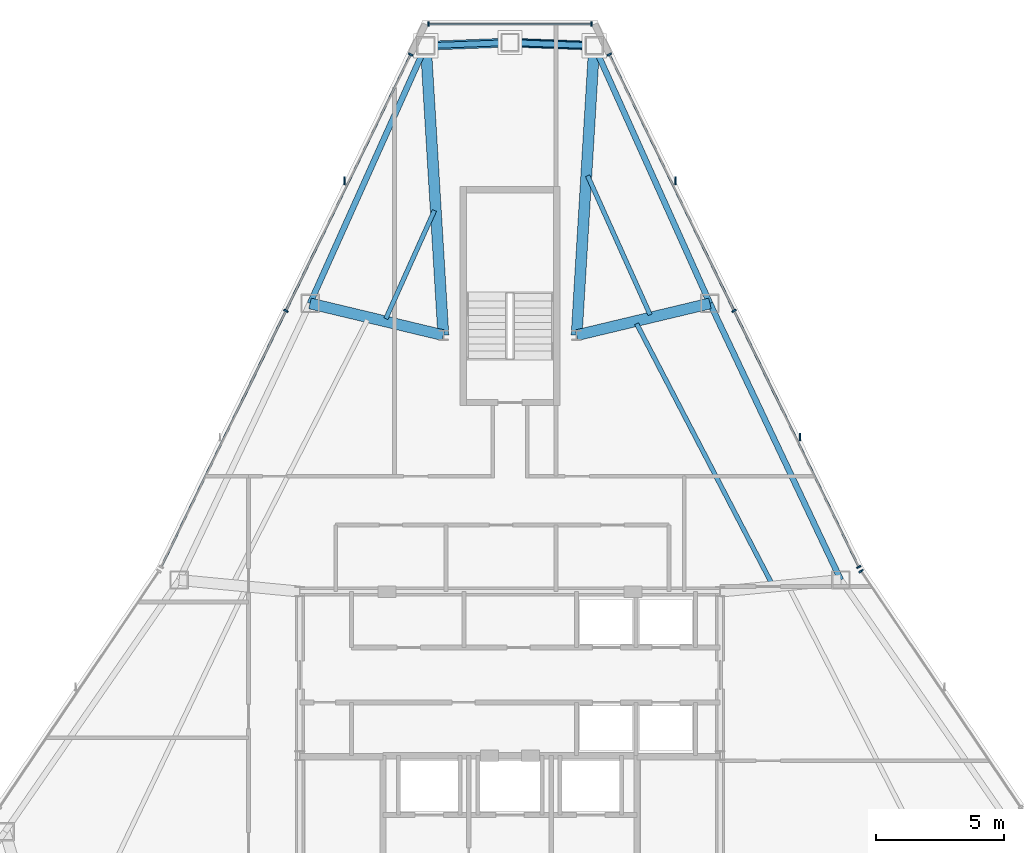
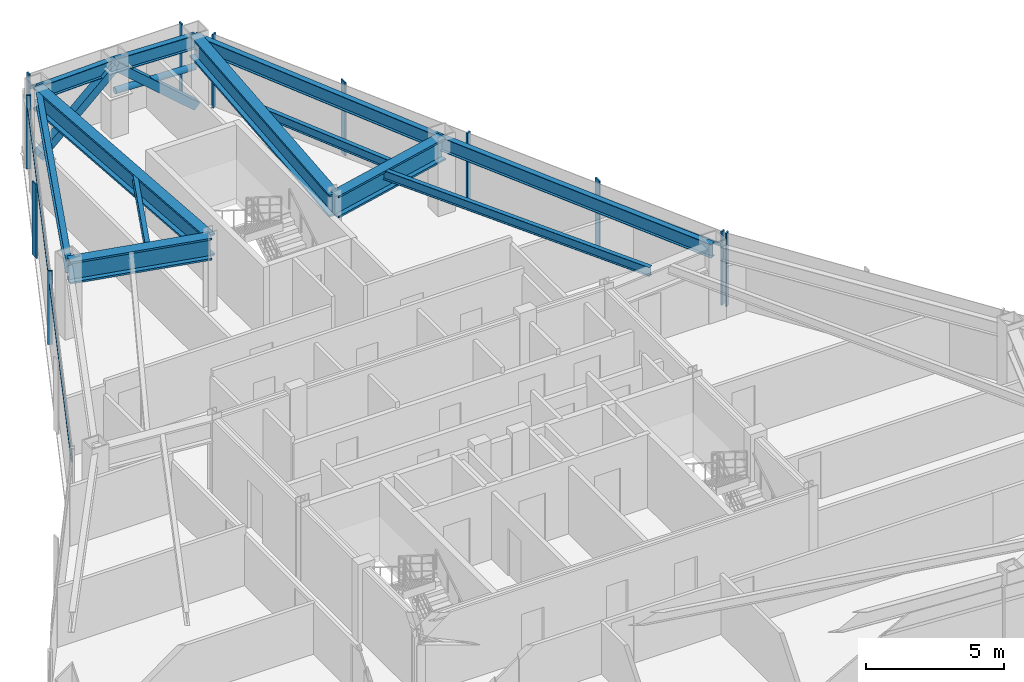
# One storey, part 7 of 12: 17 members, 12 beams, 4 elements without a shape of their own.
"""IFC4 building model written with IfcOpenShell, lengths in metres."""

from ifc_helpers import new_model, si_unit, direction, frame, origin, origin_2d, place, context, subcontext, project, spatial, rectangle, hollow_rectangle, hollow_circle, i_section, extrude, source, transform, mapped, material, layer, layer_set, material_profile, profile_set, type_object, type_shapes, element, aggregate, save


model = new_model("IFC4")

# Units and contexts
model_context = context("Model", 3, precision=1e-05, world=origin(), true_north=direction((0.0, 1.0)))
body_context = subcontext(model_context, "Body", "Model", "MODEL_VIEW")
ifc_project = project(units=[si_unit("LENGTHUNIT", "METRE"), si_unit("AREAUNIT", "SQUARE_METRE"), si_unit("VOLUMEUNIT", "CUBIC_METRE"), si_unit("PLANEANGLEUNIT", "RADIAN"), si_unit("MASSUNIT", "GRAM", prefix="KILO")], contexts=[model_context])

# Site, building, storey
site_placement = place(None, origin())
site = spatial("IfcSite", under=ifc_project, at=site_placement, CompositionType="ELEMENT")
building_placement = place(site_placement, origin())
building = spatial("IfcBuilding", under=site, at=building_placement, Name="Varakhsha Concourse Tower", CompositionType="ELEMENT")
storey_placement = place(building_placement, frame((0.0, 0.0, 211.89990234375)))
storey = spatial("IfcBuildingStorey", under=building, at=storey_placement, Name="L60", CompositionType="ELEMENT", Elevation=211.89990234375)

# Beams
ifc_material_1 = material(Name="Structural Steel ASTM A992 Grade 50", Category="steel")
ifc_material_profile_1 = material_profile(ifc_material_1, i_section(OverallWidth=0.177978515625, OverallDepth=0.406982421875, WebThickness=0.008056640625, FlangeThickness=0.012939453125, at=origin_2d()), Name="W16X40")
ifc_profile_set_1 = profile_set([ifc_material_profile_1], Name="Structural Steel ASTM A992 Grade 50")
beam_type_1 = type_object("IfcBeamType", Name="BM-JST-W16X40", PredefinedType="JOIST", material=ifc_profile_set_1)
beam_1_placement = place(storey_placement, frame((37.05419921875, 46.068359375, 3.046630859375), z_axis=(-0.409947870427, -0.912108953762, 0.0), x_axis=(0.912108953762, -0.409947870427, 0.0)))
element("IfcBeam", 1, at=beam_1_placement, inside=storey, type_object=beam_type_1, Name="BM-TJST-L60-03", PredefinedType="JOIST", context=body_context, shape_type="SweptSolid", body=[
    extrude(i_section(OverallWidth=0.177978515625, OverallDepth=0.406982421875, WebThickness=0.008056640625, FlangeThickness=0.012939453125, at=origin_2d()), origin(), (0.0, 0.0, 1.0), 4.6279296875),
])
beam_2_placement = place(storey_placement, frame((50.219970703125, 31.49609375, 3.046630859375), z_axis=(-0.461466246879, 0.887157766686, 0.0), x_axis=(-0.887157766686, -0.461466246879, 0.0)))
element("IfcBeam", 2, at=beam_2_placement, inside=storey, type_object=beam_type_1, Name="BM-TJST-L60-17", PredefinedType="JOIST", context=body_context, shape_type="SweptSolid", body=[
    extrude(i_section(OverallWidth=0.177978515625, OverallDepth=0.406982421875, WebThickness=0.008056640625, FlangeThickness=0.012939453125, at=origin_2d()), origin(), (0.0, 0.0, 1.0), 11.444580078125),
])
beam_3_placement = place(storey_placement, frame((45.466796875, 41.99609375, 3.046630859375), z_axis=(-0.409938117482, 0.912113337166, 0.0), x_axis=(-0.912113337166, -0.409938117482, 0.0)))
element("IfcBeam", 3, at=beam_3_placement, inside=storey, type_object=beam_type_1, Name="BM-TJST-L60-18", PredefinedType="JOIST", context=body_context, shape_type="SweptSolid", body=[
    extrude(i_section(OverallWidth=0.177978515625, OverallDepth=0.406982421875, WebThickness=0.008056640625, FlangeThickness=0.012939453125, at=origin_2d()), origin(), (0.0, 0.0, 1.0), 5.9501953125),
])
ifc_material_profile_2 = material_profile(ifc_material_1, i_section(OverallWidth=0.22900390625, OverallDepth=0.612060546875, WebThickness=0.011962890625, FlangeThickness=0.02001953125, at=origin_2d()), Name="W24X84")
ifc_profile_set_2 = profile_set([ifc_material_profile_2], Name="Structural Steel ASTM A992 Grade 50")
beam_type_2 = type_object("IfcBeamType", Name="BM-SPAN-W24X84", PredefinedType="SPANDREL", material=ifc_profile_set_2)
for number, where, z_axis, x_axis, name in (
    (4, (43.283203125, 52.492431640625, 2.944091796875), (-0.999273198752, 0.038119211106, 0.0), (-0.038119211106, -0.999273198752, 0.0), "BM-SPAN-L60-01"),
    (5, (40.0, 52.61767578125, 2.944091796875), (-0.999273198752, -0.038119211106, 0.0), (0.038119211106, -0.999273198752, 0.0), "BM-SPAN-L60-02"),
):
    element("IfcBeam", number, at=place(storey_placement, frame(where, z_axis=z_axis, x_axis=x_axis)), inside=storey, type_object=beam_type_2, Name=name, PredefinedType="SPANDREL", context=body_context, shape_type="SweptSolid", body=[
        extrude(i_section(OverallWidth=0.22900390625, OverallDepth=0.612060546875, WebThickness=0.011962890625, FlangeThickness=0.02001953125, at=origin_2d()), origin(), (0.0, 0.0, 1.0), 3.28564453125),
    ])
beam_4_placement = place(storey_placement, frame((36.716796875, 52.492431640625, 2.944091796875), z_axis=(-0.40994450771, -0.912110465129, 0.0), x_axis=(0.912110465129, -0.40994450771, 0.0)))
element("IfcBeam", 6, at=beam_4_placement, inside=storey, type_object=beam_type_2, Name="BM-SPAN-L60-03", PredefinedType="SPANDREL", context=body_context, shape_type="SweptSolid", body=[
    extrude(i_section(OverallWidth=0.22900390625, OverallDepth=0.612060546875, WebThickness=0.011962890625, FlangeThickness=0.02001953125, at=origin_2d()), origin(), (0.0, 0.0, 1.0), 11.01806640625),
])
beam_5_placement = place(storey_placement, frame((52.90625, 31.651611328125, 2.944091796875), z_axis=(-0.427721486509, 0.903910576318, 0.0), x_axis=(-0.903910576318, -0.427721486509, 0.0)))
element("IfcBeam", 7, at=beam_5_placement, inside=storey, type_object=beam_type_2, Name="BM-SPAN-L60-17", PredefinedType="SPANDREL", context=body_context, shape_type="SweptSolid", body=[
    extrude(i_section(OverallWidth=0.22900390625, OverallDepth=0.612060546875, WebThickness=0.011962890625, FlangeThickness=0.02001953125, at=origin_2d()), origin(), (0.0, 0.0, 1.0), 11.938232421875),
])
beam_6_placement = place(storey_placement, frame((47.800048828125, 42.442626953125, 2.944091796875), z_axis=(-0.40994450771, 0.912110465129, 0.0), x_axis=(-0.912110465129, -0.40994450771, 0.0)))
element("IfcBeam", 8, at=beam_6_placement, inside=storey, type_object=beam_type_2, Name="BM-SPAN-L60-18", PredefinedType="SPANDREL", context=body_context, shape_type="SweptSolid", body=[
    extrude(i_section(OverallWidth=0.22900390625, OverallDepth=0.612060546875, WebThickness=0.011962890625, FlangeThickness=0.02001953125, at=origin_2d()), origin(), (0.0, 0.0, 1.0), 11.01806640625),
])
ifc_material_profile_3 = material_profile(ifc_material_1, i_section(OverallWidth=0.427978515625, OverallDepth=0.97509765625, WebThickness=0.050048828125, FlangeThickness=0.0810546875, at=origin_2d()), Name="W36X395")
ifc_profile_set_3 = profile_set([ifc_material_profile_3], Name="Structural Steel ASTM A992 Grade 50")
beam_type_3 = type_object("IfcBeamType", Name="BM-XFER-W36X395", PredefinedType="USERDEFINED", material=ifc_profile_set_3)
for number, where, z_axis, x_axis, name in (
    (9, (42.60009765625, 41.199951171875, 2.7626953125), (0.060381689378, 0.99817536114, 0.0), (-0.99817536114, 0.060381689378, 0.0), "L60 Radial Floor Girder 01"),
    (10, (37.39990234375, 41.199951171875, 2.7626953125), (-0.060381689378, 0.99817536114, 0.0), (-0.99817536114, -0.060381689378, 0.0), "L60 Radial Floor Girder 03"),
):
    element("IfcBeam", number, at=place(storey_placement, frame(where, z_axis=z_axis, x_axis=x_axis)), inside=storey, type_object=beam_type_3, Name=name, ObjectType="GIRDER", PredefinedType="USERDEFINED", context=body_context, shape_type="SweptSolid", body=[
        extrude(i_section(OverallWidth=0.427978515625, OverallDepth=0.97509765625, WebThickness=0.050048828125, FlangeThickness=0.0810546875, at=origin_2d()), origin(), (0.0, 0.0, 1.0), 11.313232421875),
    ])
for number, where, z_axis, x_axis, name in (
    (11, (37.39990234375, 41.199951171875, 2.7626953125), (-0.972612339094, 0.232433297619, 0.0), (-0.232433297619, -0.972612339094, 0.0), "L60 Radial Floor Girder 04"),
    (12, (42.60009765625, 41.199951171875, 2.7626953125), (0.972612339094, 0.232433297619, 0.0), (-0.232433297619, 0.972612339094, 0.0), "L60 Radial Floor Girder 18"),
):
    element("IfcBeam", number, at=place(storey_placement, frame(where, z_axis=z_axis, x_axis=x_axis)), inside=storey, type_object=beam_type_3, Name=name, ObjectType="GIRDER", PredefinedType="USERDEFINED", context=body_context, shape_type="SweptSolid", body=[
        extrude(i_section(OverallWidth=0.427978515625, OverallDepth=0.97509765625, WebThickness=0.050048828125, FlangeThickness=0.0810546875, at=origin_2d()), origin(), (0.0, 0.0, 1.0), 5.346435546875),
    ])

# Members
ifc_material_2 = material(Name="Structural Steel ASTM A500 Grade C", Category="steel")
ifc_material_profile_4 = material_profile(ifc_material_2, hollow_rectangle(XDim=0.35009765625, YDim=0.35009765625, WallThickness=0.01611328125, at=origin_2d()), Name="HSS 350x350x16")
ifc_profile_set_4 = profile_set([ifc_material_profile_4], Name="Structural Steel ASTM A500 Grade C")
member_type_1 = type_object("IfcMemberType", Name="MB-TUBE-HSS350", PredefinedType="BRACE", material=ifc_profile_set_4)
shared_shape_1 = source(origin(), body_context, "Body", "SweptSolid", [
    extrude(hollow_rectangle(XDim=0.35009765625, YDim=0.35009765625, WallThickness=0.01611328125, at=origin_2d()), origin(), (0.0, 0.0, 1.0), 4.33642578125),
])
type_shapes(member_type_1, [shared_shape_1])
for number, where, z_axis, x_axis, name in (
    (13, (43.283203125, 52.492431640625, 0.1201171875), (-0.757124713956, 0.02888198827, 0.6526315946), (-0.038119211106, -0.999273198752, 0.0), "L60 Wind-Corner Tube Brace B01"),
    (14, (36.716796875, 52.492431640625, 0.1201171875), (0.757124713956, 0.02888198827, 0.6526315946), (-0.038119211106, 0.999273198752, 0.0), "L60 Wind-Corner Tube Brace B02"),
):
    element("IfcMember", number, at=place(storey_placement, frame(where, z_axis=z_axis, x_axis=x_axis)), inside=storey, type_object=member_type_1, Name=name, PredefinedType="BRACE", context=body_context, shape_type="MappedRepresentation", body=[
        mapped(shared_shape_1, transform((0.0, 0.0, 0.0), scale=1.0)),
    ])
ifc_material_profile_5 = material_profile(ifc_material_2, hollow_circle(Radius=0.136474609375, WallThickness=0.011962890625, at=origin_2d()), Name="CHS 273x12")
ifc_profile_set_5 = profile_set([ifc_material_profile_5], Name="Structural Steel ASTM A500 Grade C")
member_type_2 = type_object("IfcMemberType", Name="MB-WIND-CHS273", PredefinedType="COLLAR", material=ifc_profile_set_5)
shared_shape_2 = source(origin(), body_context, "Body", "SweptSolid", [
    extrude(hollow_circle(Radius=0.136474609375, WallThickness=0.011962890625, at=origin_2d()), origin(), (0.0, 0.0, 1.0), 3.28564453125),
])
type_shapes(member_type_2, [shared_shape_2])
member_1_placement = place(storey_placement, frame((43.283203125, 52.492431640625, 1.800048828125), z_axis=(-0.999273198752, 0.038119211106, 0.0), x_axis=(-0.038119211106, -0.999273198752, 0.0)))
element("IfcMember", 15, at=member_1_placement, inside=storey, type_object=member_type_2, Name="L60 Wind-Corner Collar Tie 1", PredefinedType="COLLAR", context=body_context, shape_type="MappedRepresentation", body=[
    mapped(shared_shape_2, transform((0.0, 0.0, 0.0), scale=1.0)),
])

# Curtain wall, members
ifc_material_3 = material(Name="Anodised Bronze Architectural Aluminium AA 6063-T6", Category="aluminium")
ifc_layer = layer(ifc_material_3, 0.199951171875, Name="CW-SYS-05")
ifc_layer_set = layer_set([ifc_layer], Name="Anodised Bronze Architectural Aluminium AA 6063-T6")
curtain_wall_type = type_object("IfcCurtainWallType", Name="CW-SYS-05", PredefinedType="NOTDEFINED", material=ifc_layer_set)
curtain_wall_1_placement = place(storey_placement, origin())
curtain_wall_1 = element("IfcCurtainWall", 16, at=curtain_wall_1_placement, inside=storey, type_object=curtain_wall_type, Name="L60 Chamfer Curtain Wall F1", PredefinedType="NOTDEFINED")
ifc_material_profile_6 = material_profile(ifc_material_3, rectangle(XDim=0.06494140625, YDim=0.179931640625, at=origin_2d()), Name="CWM-180X65")
ifc_profile_set_6 = profile_set([ifc_material_profile_6], Name="Anodised Bronze Architectural Aluminium AA 6063-T6")
member_type_3 = type_object("IfcMemberType", Name="CWM-180X65", PredefinedType="MULLION", material=ifc_profile_set_6)
shared_shape_3 = source(origin(), body_context, "Body", "SweptSolid", [
    extrude(rectangle(XDim=0.06494140625, YDim=0.179931640625, at=origin_2d()), origin(), (0.0, 0.0, 1.0), 3.25),
])
type_shapes(member_type_3, [shared_shape_3])
member_2_placement = place(storey_placement, frame((36.820068359375, 53.337646484375, 0.0), z_axis=(0.0, 0.0, 1.0), x_axis=(1.0, 0.0, 0.0)))
member_2 = element("IfcMember", 17, at=member_2_placement, type_object=member_type_3, Name="CW-L60-F1 Mullion 00", PredefinedType="MULLION", context=body_context, shape_type="MappedRepresentation", body=[
    mapped(shared_shape_3, transform((0.0, 0.0, 0.0), scale=1.0)),
])
member_3_placement = place(storey_placement, frame((43.179931640625, 53.337646484375, 0.0), z_axis=(0.0, 0.0, 1.0), x_axis=(1.0, 0.0, 0.0)))
member_3 = element("IfcMember", 18, at=member_3_placement, type_object=member_type_3, Name="CW-L60-F1 Mullion 01", PredefinedType="MULLION", context=body_context, shape_type="MappedRepresentation", body=[
    mapped(shared_shape_3, transform((0.0, 0.0, 0.0), scale=1.0)),
])

curtain_wall_2_placement = place(storey_placement, origin())
curtain_wall_2 = element("IfcCurtainWall", 19, at=curtain_wall_2_placement, inside=storey, type_object=curtain_wall_type, Name="L60 Crystal Curtain Wall F2", PredefinedType="NOTDEFINED")
member_4_placement = place(storey_placement, frame((31.259521484375, 42.155029296875, 0.0), z_axis=(0.0, 0.0, 1.0), x_axis=(0.437497178592, 0.899219783325, 0.0)))
member_4 = element("IfcMember", 20, at=member_4_placement, type_object=member_type_3, Name="CW-L60-F2 Mullion 01", PredefinedType="MULLION", context=body_context, shape_type="MappedRepresentation", body=[
    mapped(shared_shape_3, transform((0.0, 0.0, 0.0), scale=1.0)),
])
member_5_placement = place(storey_placement, frame((36.12255859375, 52.15087890625, 0.0), z_axis=(0.0, 0.0, 1.0), x_axis=(0.437497178592, 0.899219783325, 0.0)))
member_5 = element("IfcMember", 21, at=member_5_placement, type_object=member_type_3, Name="CW-L60-F2 Mullion 02", PredefinedType="MULLION", context=body_context, shape_type="MappedRepresentation", body=[
    mapped(shared_shape_3, transform((0.0, 0.0, 0.0), scale=1.0)),
])

# Curtain wall, member
curtain_wall_3_placement = place(storey_placement, origin())
curtain_wall_3 = element("IfcCurtainWall", 22, at=curtain_wall_3_placement, inside=storey, type_object=curtain_wall_type, Name="L60 Crystal Curtain Wall F8", PredefinedType="NOTDEFINED")
member_6_placement = place(storey_placement, frame((53.69482421875, 32.001708984375, 0.0), z_axis=(0.0, 0.0, 1.0), x_axis=(0.559998586649, -0.828493562408, 0.0)))
member_6 = element("IfcMember", 23, at=member_6_placement, type_object=member_type_3, Name="CW-L60-F8 Mullion 00", PredefinedType="MULLION", context=body_context, shape_type="MappedRepresentation", body=[
    mapped(shared_shape_3, transform((0.0, 0.0, 0.0), scale=1.0)),
])
aggregate(curtain_wall_3, [member_6])

# Curtain wall, members
curtain_wall_4_placement = place(storey_placement, origin())
curtain_wall_4 = element("IfcCurtainWall", 24, at=curtain_wall_4_placement, inside=storey, type_object=curtain_wall_type, Name="L60 Crystal Curtain Wall F9", PredefinedType="NOTDEFINED")
member_7_placement = place(storey_placement, frame((43.87744140625, 52.15087890625, 0.0), z_axis=(0.0, 0.0, 1.0), x_axis=(0.437497178592, -0.899219783325, 0.0)))
member_7 = element("IfcMember", 25, at=member_7_placement, type_object=member_type_3, Name="CW-L60-F9 Mullion 00", PredefinedType="MULLION", context=body_context, shape_type="MappedRepresentation", body=[
    mapped(shared_shape_3, transform((0.0, 0.0, 0.0), scale=1.0)),
])
member_8_placement = place(storey_placement, frame((48.740478515625, 42.1552734375, 0.0), z_axis=(0.0, 0.0, 1.0), x_axis=(0.437497178592, -0.899219783325, 0.0)))
member_8 = element("IfcMember", 26, at=member_8_placement, type_object=member_type_3, Name="CW-L60-F9 Mullion 01", PredefinedType="MULLION", context=body_context, shape_type="MappedRepresentation", body=[
    mapped(shared_shape_3, transform((0.0, 0.0, 0.0), scale=1.0)),
])
member_9_placement = place(storey_placement, frame((53.603759765625, 32.159423828125, 0.0), z_axis=(0.0, 0.0, 1.0), x_axis=(0.437497178592, -0.899219783325, 0.0)))
member_9 = element("IfcMember", 27, at=member_9_placement, type_object=member_type_3, Name="CW-L60-F9 Mullion 02", PredefinedType="MULLION", context=body_context, shape_type="MappedRepresentation", body=[
    mapped(shared_shape_3, transform((0.0, 0.0, 0.0), scale=1.0)),
])

# Member
ifc_material_profile_7 = material_profile(ifc_material_3, rectangle(XDim=0.06005859375, YDim=0.139892578125, at=origin_2d()), Name="CWT-140X60")
ifc_profile_set_7 = profile_set([ifc_material_profile_7], Name="Anodised Bronze Architectural Aluminium AA 6063-T6")
member_type_4 = type_object("IfcMemberType", Name="CWT-140X60", PredefinedType="USERDEFINED", material=ifc_profile_set_7)
shared_shape_4 = source(origin(), body_context, "Body", "SweptSolid", [
    extrude(rectangle(XDim=0.06005859375, YDim=0.139892578125, at=origin_2d()), origin(), (0.0, 0.0, 1.0), 22.23193359375),
])
member_10_placement = place(storey_placement, frame((26.396240234375, 32.159423828125, 2.60009765625), z_axis=(0.437492838403, 0.899221894944, 0.0), x_axis=(-0.899221894944, 0.437492838403, 0.0)))
member_10 = element("IfcMember", 28, at=member_10_placement, type_object=member_type_4, Name="CW-L60-F2 Transom 01", ObjectType="TRANSOM", PredefinedType="USERDEFINED", context=body_context, shape_type="MappedRepresentation", body=[
    mapped(shared_shape_4, transform((0.0, 0.0, 0.0), scale=1.0)),
])

member_11_placement = place(storey_placement, frame((43.87744140625, 52.15087890625, 2.60009765625), z_axis=(0.437492838403, -0.899221894944, 0.0), x_axis=(0.899221894944, 0.437492838403, 0.0)))
member_11 = element("IfcMember", 29, at=member_11_placement, type_object=member_type_4, Name="CW-L60-F9 Transom 01", ObjectType="TRANSOM", PredefinedType="USERDEFINED", context=body_context, shape_type="MappedRepresentation", body=[
    mapped(shared_shape_4, transform((0.0, 0.0, 0.0), scale=1.0)),
])

ifc_material_profile_8 = material_profile(ifc_material_3, rectangle(XDim=0.054931640625, YDim=0.300048828125, at=origin_2d()), Name="FIN-BRZ-300")
ifc_profile_set_8 = profile_set([ifc_material_profile_8], Name="Anodised Bronze Architectural Aluminium AA 6063-T6")
member_type_5 = type_object("IfcMemberType", Name="FIN-BRZ-300", PredefinedType="USERDEFINED", material=ifc_profile_set_8)
shared_shape_5 = source(origin(), body_context, "Body", "SweptSolid", [
    extrude(rectangle(XDim=0.054931640625, YDim=0.300048828125, at=origin_2d()), origin(), (0.0, 0.0, 1.0), 3.25),
])
type_shapes(member_type_5, [shared_shape_5])
member_12_placement = place(storey_placement, frame((33.54248046875, 47.22509765625, 0.0), z_axis=(0.0, 0.0, 1.0), x_axis=(1.0, 0.0, 0.0)))
member_12 = element("IfcMember", 30, at=member_12_placement, type_object=member_type_5, Name="L60 Anodised Bronze Solar Fin F2-2", ObjectType="SOLAR FIN", PredefinedType="USERDEFINED", context=body_context, shape_type="MappedRepresentation", body=[
    mapped(shared_shape_5, transform((0.0, 0.0, 0.0), scale=1.0)),
])

aggregate(curtain_wall_2, [member_4, member_5, member_10, member_12])

member_13_placement = place(storey_placement, frame((46.45751953125, 47.22509765625, 0.0), z_axis=(0.0, 0.0, 1.0), x_axis=(1.0, 0.0, 0.0)))
member_13 = element("IfcMember", 31, at=member_13_placement, type_object=member_type_5, Name="L60 Anodised Bronze Solar Fin F9-1", ObjectType="SOLAR FIN", PredefinedType="USERDEFINED", context=body_context, shape_type="MappedRepresentation", body=[
    mapped(shared_shape_5, transform((0.0, 0.0, 0.0), scale=1.0)),
])

member_14_placement = place(storey_placement, frame((51.320556640625, 37.2294921875, 0.0), z_axis=(0.0, 0.0, 1.0), x_axis=(1.0, 0.0, 0.0)))
member_14 = element("IfcMember", 32, at=member_14_placement, type_object=member_type_5, Name="L60 Anodised Bronze Solar Fin F9-2", ObjectType="SOLAR FIN", PredefinedType="USERDEFINED", context=body_context, shape_type="MappedRepresentation", body=[
    mapped(shared_shape_5, transform((0.0, 0.0, 0.0), scale=1.0)),
])

aggregate(curtain_wall_4, [member_7, member_8, member_9, member_11, member_13, member_14])

shared_shape_6 = source(origin(), body_context, "Body", "SweptSolid", [
    extrude(rectangle(XDim=0.06005859375, YDim=0.139892578125, at=origin_2d()), origin(), (0.0, 0.0, 1.0), 6.35986328125),
])
type_shapes(member_type_4, [shared_shape_4, shared_shape_6])
member_15_placement = place(storey_placement, frame((36.820068359375, 53.337646484375, 2.60009765625), z_axis=(1.0, 0.0, 0.0), x_axis=(0.0, 1.0, 0.0)))
member_15 = element("IfcMember", 33, at=member_15_placement, type_object=member_type_4, Name="CW-L60-F1 Transom 01", ObjectType="TRANSOM", PredefinedType="USERDEFINED", context=body_context, shape_type="MappedRepresentation", body=[
    mapped(shared_shape_6, transform((0.0, 0.0, 0.0), scale=1.0)),
])

aggregate(curtain_wall_1, [member_2, member_3, member_15])

save(model, "model.ifc")
